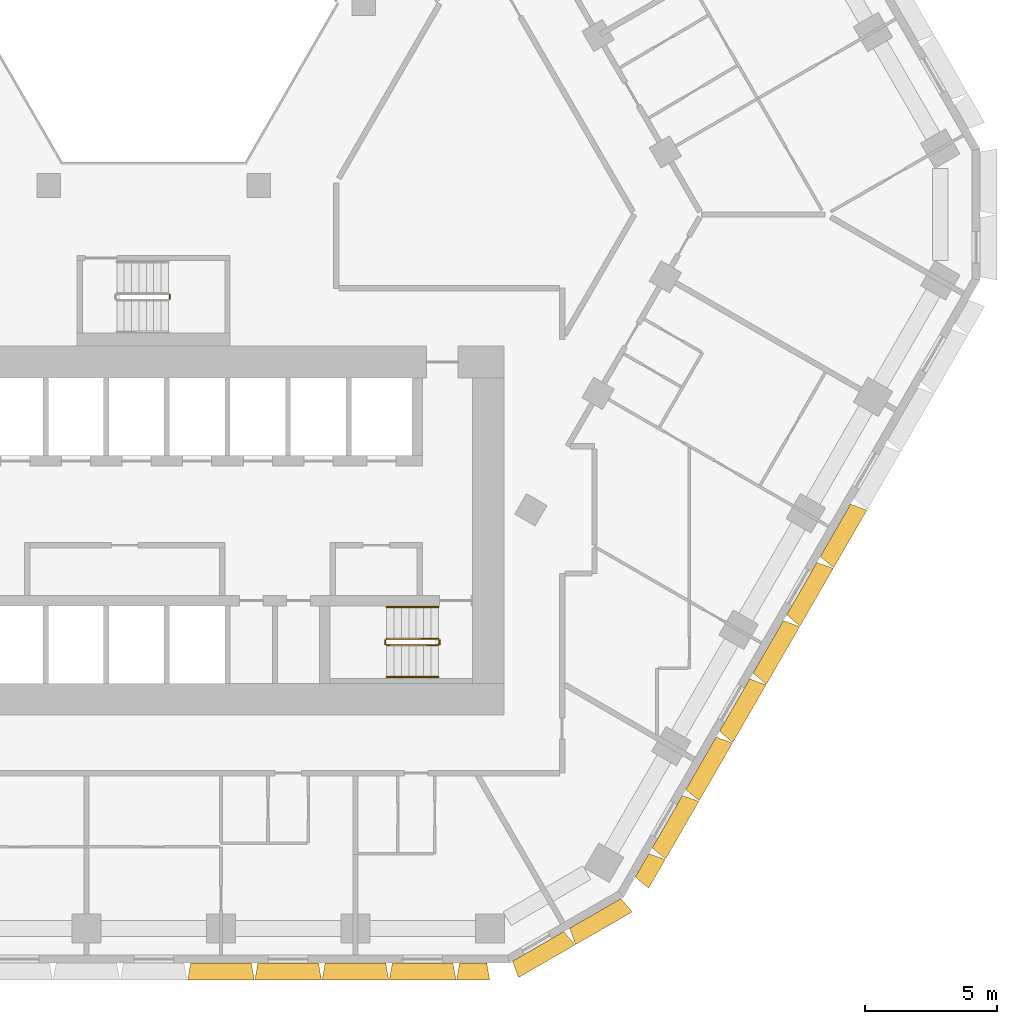
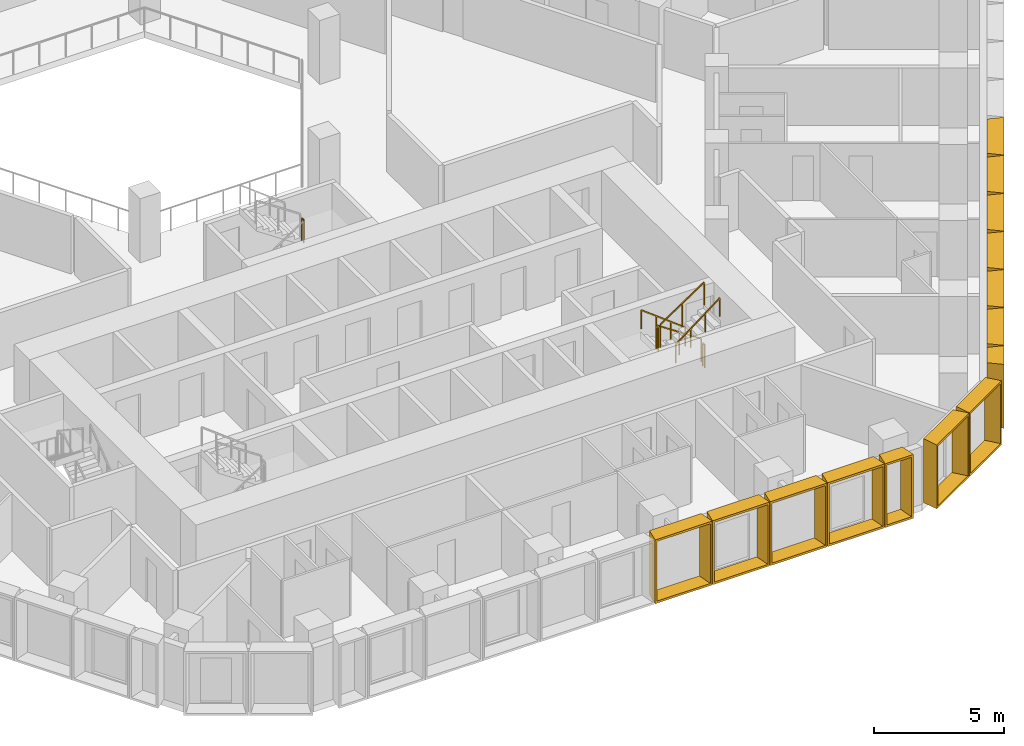
# One storey, part 15 of 16: 14 shading devices, 7 railings.
"""IFC4 building model written with IfcOpenShell, lengths in metres."""

from ifc_helpers import new_model, entity, si_unit, direction, frame, origin, origin_2d, place, context, subcontext, project, spatial, rectangle, extrude, source, transform, mapped, material, type_object, type_shapes, element, save


model = new_model("IFC4")

# Units and contexts
model_context = context("Model", 3, precision=1e-05, world=origin(), true_north=direction((0.0, 1.0)))
body_context = subcontext(model_context, "Body", "Model", "MODEL_VIEW")
ifc_project = project(units=[si_unit("LENGTHUNIT", "METRE"), si_unit("AREAUNIT", "SQUARE_METRE"), si_unit("VOLUMEUNIT", "CUBIC_METRE"), si_unit("PLANEANGLEUNIT", "RADIAN"), si_unit("MASSUNIT", "GRAM", prefix="KILO")], contexts=[model_context])

# Site, building, storey
site_placement = place(None, origin())
site = spatial("IfcSite", under=ifc_project, at=site_placement, CompositionType="ELEMENT")
building_placement = place(site_placement, origin())
building = spatial("IfcBuilding", under=site, at=building_placement, Name="Beryl Residences", CompositionType="ELEMENT")
storey_placement = place(building_placement, frame((0.0, 0.0, 50.39990234375)))
storey = spatial("IfcBuildingStorey", under=building, at=storey_placement, Name="L15", CompositionType="ELEMENT", Elevation=50.39990234375)

# Shading devices
ifc_material_1 = material(Name="Aluminium pale anodised", Category="aluminium")
shading_device_type_1 = type_object("IfcShadingDeviceType", Name="FR128-65A OUTER SKIN frame 650 mm deep, splay 10/10 deg, 1280 x 3000 mm cell", PredefinedType="USERDEFINED", material=ifc_material_1)
cartesian_point_1 = entity("IfcCartesianPoint", [-0.514892578125, 0.0])
cartesian_point_2 = entity("IfcCartesianPoint", [-0.433837890625, 0.10009765625])
cartesian_point_3 = entity("IfcCartesianPoint", [-0.629638671875, 0.0])
cartesian_point_4 = entity("IfcCartesianPoint", [-0.54833984375, 0.10009765625])
shared_shape_1 = source(origin(), body_context, "Body", "SweptSolid", [
    entity("IfcExtrudedAreaSolidTapered", entity("IfcArbitraryProfileDefWithVoids", "AREA", None, entity("IfcPolyline", [cartesian_point_1, entity("IfcCartesianPoint", [0.514892578125, 0.0]), entity("IfcCartesianPoint", [0.514892578125, 3.0]), entity("IfcCartesianPoint", [-0.514892578125, 3.0]), cartesian_point_1]), [entity("IfcPolyline", [cartesian_point_2, entity("IfcCartesianPoint", [0.433837890625, 0.10009765625]), entity("IfcCartesianPoint", [0.433837890625, 2.89990234375]), entity("IfcCartesianPoint", [-0.433837890625, 2.89990234375]), cartesian_point_2])]), entity("IfcAxis2Placement3D", entity("IfcCartesianPoint", [0.0, 0.0, 0.0]), entity("IfcDirection", [0.0, 1.0, 0.0]), entity("IfcDirection", [-1.0, 0.0, 0.0])), entity("IfcDirection", [0.0, 0.0, 1.0]), 0.64990234375, entity("IfcArbitraryProfileDefWithVoids", "AREA", None, entity("IfcPolyline", [cartesian_point_3, entity("IfcCartesianPoint", [0.629638671875, 0.0]), entity("IfcCartesianPoint", [0.629638671875, 3.0]), entity("IfcCartesianPoint", [-0.629638671875, 3.0]), cartesian_point_3]), [entity("IfcPolyline", [cartesian_point_4, entity("IfcCartesianPoint", [0.54833984375, 0.10009765625]), entity("IfcCartesianPoint", [0.54833984375, 2.89990234375]), entity("IfcCartesianPoint", [-0.54833984375, 2.89990234375]), cartesian_point_4])])),
])
type_shapes(shading_device_type_1, [shared_shape_1])
for number, where, z_axis, x_axis, name in (
    (1, (12.123046875, -28.39990234375, 0.0), (0.0, 0.0, 1.0), (-1.0, 0.0, 0.0), "FR128-65A frame L15 S 11"),
    (2, (18.534912109375, -24.697021484375, 0.0), (0.0, 0.0, 1.0), (-0.5, -0.866025403784, 0.0), "FR128-65A frame L15 SE 1"),
):
    element("IfcShadingDevice", number, at=place(storey_placement, frame(where, z_axis=z_axis, x_axis=x_axis)), inside=storey, type_object=shading_device_type_1, Name=name, ObjectType="OUTER SKIN", PredefinedType="USERDEFINED", context=body_context, shape_type="MappedRepresentation", body=[
        mapped(shared_shape_1, transform((0.0, 0.0, 0.0))),
    ])
ifc_material_2 = material(Name="Aluminium pale anodised", Category="aluminium")
shading_device_type_2 = type_object("IfcShadingDeviceType", Name="FR250-65A OUTER SKIN frame 650 mm deep, splay 10/10 deg, 2500 x 3000 mm cell", PredefinedType="USERDEFINED", material=ifc_material_2)
cartesian_point_5 = entity("IfcCartesianPoint", [-1.125, 0.0])
cartesian_point_6 = entity("IfcCartesianPoint", [-1.043701171875, 0.10009765625])
cartesian_point_7 = entity("IfcCartesianPoint", [-1.239501953125, 0.0])
cartesian_point_8 = entity("IfcCartesianPoint", [-1.158447265625, 0.10009765625])
shared_shape_2 = source(origin(), body_context, "Body", "SweptSolid", [
    entity("IfcExtrudedAreaSolidTapered", entity("IfcArbitraryProfileDefWithVoids", "AREA", None, entity("IfcPolyline", [cartesian_point_5, entity("IfcCartesianPoint", [1.125, 0.0]), entity("IfcCartesianPoint", [1.125, 3.0]), entity("IfcCartesianPoint", [-1.125, 3.0]), cartesian_point_5]), [entity("IfcPolyline", [cartesian_point_6, entity("IfcCartesianPoint", [1.043701171875, 0.10009765625]), entity("IfcCartesianPoint", [1.043701171875, 2.89990234375]), entity("IfcCartesianPoint", [-1.043701171875, 2.89990234375]), cartesian_point_6])]), entity("IfcAxis2Placement3D", entity("IfcCartesianPoint", [0.0, 0.0, 0.0]), entity("IfcDirection", [0.0, 1.0, 0.0]), entity("IfcDirection", [-1.0, 0.0, 0.0])), entity("IfcDirection", [0.0, 0.0, 1.0]), 0.64990234375, entity("IfcArbitraryProfileDefWithVoids", "AREA", None, entity("IfcPolyline", [cartesian_point_7, entity("IfcCartesianPoint", [1.239501953125, 0.0]), entity("IfcCartesianPoint", [1.239501953125, 3.0]), entity("IfcCartesianPoint", [-1.239501953125, 3.0]), cartesian_point_7]), [entity("IfcPolyline", [cartesian_point_8, entity("IfcCartesianPoint", [1.158447265625, 0.10009765625]), entity("IfcCartesianPoint", [1.158447265625, 2.89990234375]), entity("IfcCartesianPoint", [-1.158447265625, 2.89990234375]), cartesian_point_8])])),
])
type_shapes(shading_device_type_2, [shared_shape_2])
for number, where, z_axis, x_axis, name in (
    (3, (14.593017578125, -27.77490234375, 0.0), (0.0, 0.0, 1.0), (-0.866025403784, -0.5, 0.0), "FR250-65A frame L15 S-SE 1"),
    (4, (16.758056640625, -26.52490234375, 0.0), (0.0, 0.0, 1.0), (-0.866025403784, -0.5, 0.0), "FR250-65A frame L15 S-SE 2"),
):
    element("IfcShadingDevice", number, at=place(storey_placement, frame(where, z_axis=z_axis, x_axis=x_axis)), inside=storey, type_object=shading_device_type_2, Name=name, ObjectType="OUTER SKIN", PredefinedType="USERDEFINED", context=body_context, shape_type="MappedRepresentation", body=[
        mapped(shared_shape_2, transform((0.0, 0.0, 0.0))),
    ])
ifc_material_3 = material(Name="Aluminium pale anodised", Category="aluminium")
shading_device_type_3 = type_object("IfcShadingDeviceType", Name="FR255-65A OUTER SKIN frame 650 mm deep, splay 10/10 deg, 2550 x 3000 mm cell", PredefinedType="USERDEFINED", material=ifc_material_3)
cartesian_point_9 = entity("IfcCartesianPoint", [-1.14990234375, 0.0])
cartesian_point_10 = entity("IfcCartesianPoint", [-1.06884765625, 0.10009765625])
cartesian_point_11 = entity("IfcCartesianPoint", [-1.2646484375, 0.0])
cartesian_point_12 = entity("IfcCartesianPoint", [-1.183349609375, 0.10009765625])
shared_shape_3 = source(origin(), body_context, "Body", "SweptSolid", [
    entity("IfcExtrudedAreaSolidTapered", entity("IfcArbitraryProfileDefWithVoids", "AREA", None, entity("IfcPolyline", [cartesian_point_9, entity("IfcCartesianPoint", [1.14990234375, 0.0]), entity("IfcCartesianPoint", [1.14990234375, 3.0]), entity("IfcCartesianPoint", [-1.14990234375, 3.0]), cartesian_point_9]), [entity("IfcPolyline", [cartesian_point_10, entity("IfcCartesianPoint", [1.06884765625, 0.10009765625]), entity("IfcCartesianPoint", [1.06884765625, 2.89990234375]), entity("IfcCartesianPoint", [-1.06884765625, 2.89990234375]), cartesian_point_10])]), entity("IfcAxis2Placement3D", entity("IfcCartesianPoint", [0.0, 0.0, 0.0]), entity("IfcDirection", [0.0, 1.0, 0.0]), entity("IfcDirection", [-1.0, 0.0, 0.0])), entity("IfcDirection", [0.0, 0.0, 1.0]), 0.64990234375, entity("IfcArbitraryProfileDefWithVoids", "AREA", None, entity("IfcPolyline", [cartesian_point_11, entity("IfcCartesianPoint", [1.2646484375, 0.0]), entity("IfcCartesianPoint", [1.2646484375, 3.0]), entity("IfcCartesianPoint", [-1.2646484375, 3.0]), cartesian_point_11]), [entity("IfcPolyline", [cartesian_point_12, entity("IfcCartesianPoint", [1.183349609375, 0.10009765625]), entity("IfcCartesianPoint", [1.183349609375, 2.89990234375]), entity("IfcCartesianPoint", [-1.183349609375, 2.89990234375]), cartesian_point_12])])),
])
type_shapes(shading_device_type_3, [shared_shape_3])
for number, where, z_axis, x_axis, name in (
    (5, (2.552978515625, -28.39990234375, 0.0), (0.0, 0.0, 1.0), (-1.0, 0.0, 0.0), "FR255-65A frame L15 S 7"),
    (6, (5.10498046875, -28.39990234375, 0.0), (0.0, 0.0, 1.0), (-1.0, 0.0, 0.0), "FR255-65A frame L15 S 8"),
    (7, (7.656982421875, -28.39990234375, 0.0), (0.0, 0.0, 1.0), (-1.0, 0.0, 0.0), "FR255-65A frame L15 S 9"),
    (8, (10.208984375, -28.39990234375, 0.0), (0.0, 0.0, 1.0), (-1.0, 0.0, 0.0), "FR255-65A frame L15 S 10"),
    (9, (19.491943359375, -23.0400390625, 0.0), (0.0, 0.0, 1.0), (-0.5, -0.866025403784, 0.0), "FR255-65A frame L15 SE 2"),
    (10, (20.76806640625, -20.830078125, 0.0), (0.0, 0.0, 1.0), (-0.5, -0.866025403784, 0.0), "FR255-65A frame L15 SE 3"),
    (11, (22.0439453125, -18.618896484375, 0.0), (0.0, 0.0, 1.0), (-0.5, -0.866025403784, 0.0), "FR255-65A frame L15 SE 4"),
    (12, (23.320068359375, -16.408935546875, 0.0), (0.0, 0.0, 1.0), (-0.5, -0.866025403784, 0.0), "FR255-65A frame L15 SE 5"),
    (13, (24.594970703125, -14.198974609375, 0.0), (0.0, 0.0, 1.0), (-0.5, -0.866025403784, 0.0), "FR255-65A frame L15 SE 6"),
    (14, (25.87109375, -11.989013671875, 0.0), (0.0, 0.0, 1.0), (-0.5, -0.866025403784, 0.0), "FR255-65A frame L15 SE 7"),
):
    element("IfcShadingDevice", number, at=place(storey_placement, frame(where, z_axis=z_axis, x_axis=x_axis)), inside=storey, type_object=shading_device_type_3, Name=name, ObjectType="OUTER SKIN", PredefinedType="USERDEFINED", context=body_context, shape_type="MappedRepresentation", body=[
        mapped(shared_shape_3, transform((0.0, 0.0, 0.0))),
    ])

# Railings
ifc_material_4 = material(Name="Stainless steel balustrade with glass infill", Category="steel")
railing_type_1 = type_object("IfcRailingType", Name="SG1 stair guard 1100 mm", PredefinedType="GUARDRAIL", material=ifc_material_4)
railing_1_placement = place(storey_placement, frame((10.800048828125, -16.10009765625, 0.1875)))
element("IfcRailing", 15, at=railing_1_placement, inside=storey, type_object=railing_type_1, Name="L15 ST-3 stair guard 1", PredefinedType="GUARDRAIL", context=body_context, shape_type="SweptSolid", body=[
    extrude(rectangle(XDim=0.048095703125, YDim=0.048095703125, at=origin_2d()), frame((0.0, 0.0, 1.076171875), z_axis=(-0.830902050051, 0.0, 0.556418712142), x_axis=(0.0, -1.0, 0.0)), (0.0, 0.0, 1.0), 2.35888671875),
    extrude(rectangle(XDim=0.0419921875, YDim=0.0419921875, at=origin_2d()), origin(), (0.0, 0.0, 1.0), 1.052001953125),
    extrude(rectangle(XDim=0.0419921875, YDim=0.0419921875, at=origin_2d()), frame((-0.97998046875, 0.0, 0.65625)), (0.0, 0.0, 1.0), 1.052001953125),
    extrude(rectangle(XDim=0.0419921875, YDim=0.0419921875, at=origin_2d()), frame((-1.9599609375, 0.0, 1.3125)), (0.0, 0.0, 1.0), 1.052001953125),
])
railing_2_placement = place(storey_placement, frame((8.7900390625, -16.14990234375, 1.5)))
element("IfcRailing", 16, at=railing_2_placement, inside=storey, type_object=railing_type_1, Name="L15 ST-3 stair guard 2", PredefinedType="GUARDRAIL", context=body_context, shape_type="SweptSolid", body=[
    extrude(rectangle(XDim=0.048095703125, YDim=0.048095703125, at=origin_2d()), frame((0.0, 0.0, 1.076171875), z_axis=(0.0, -1.0, 0.0), x_axis=(1.0, 0.0, 0.0)), (0.0, 0.0, 1.0), 0.150146484375),
    extrude(rectangle(XDim=0.0419921875, YDim=0.0419921875, at=origin_2d()), origin(), (0.0, 0.0, 1.0), 1.052001953125),
    extrude(rectangle(XDim=0.0419921875, YDim=0.0419921875, at=origin_2d()), frame((0.0, -0.150146484375, 0.0)), (0.0, 0.0, 1.0), 1.052001953125),
])
railing_3_placement = place(storey_placement, frame((8.840087890625, -16.35009765625, 1.6875)))
element("IfcRailing", 17, at=railing_3_placement, inside=storey, type_object=railing_type_1, Name="L15 ST-3 stair guard 3", PredefinedType="GUARDRAIL", context=body_context, shape_type="SweptSolid", body=[
    extrude(rectangle(XDim=0.048095703125, YDim=0.048095703125, at=origin_2d()), frame((0.0, 0.0, 1.076171875), z_axis=(0.830902050051, 0.0, 0.556418712142), x_axis=(0.0, 1.0, 0.0)), (0.0, 0.0, 1.0), 2.35888671875),
    extrude(rectangle(XDim=0.0419921875, YDim=0.0419921875, at=origin_2d()), origin(), (0.0, 0.0, 1.0), 1.052001953125),
    extrude(rectangle(XDim=0.0419921875, YDim=0.0419921875, at=origin_2d()), frame((0.97998046875, 0.0, 0.65625)), (0.0, 0.0, 1.0), 1.052001953125),
    extrude(rectangle(XDim=0.0419921875, YDim=0.0419921875, at=origin_2d()), frame((1.9599609375, 0.0, 1.3125)), (0.0, 0.0, 1.0), 1.052001953125),
])
railing_4_placement = place(storey_placement, frame((10.85009765625, -16.14990234375, 0.0)))
element("IfcRailing", 18, at=railing_4_placement, inside=storey, type_object=railing_type_1, Name="L15 ST-3 stair guard 4", PredefinedType="GUARDRAIL", context=body_context, shape_type="SweptSolid", body=[
    extrude(rectangle(XDim=0.048095703125, YDim=0.048095703125, at=origin_2d()), frame((0.0, 0.0, 1.076171875), z_axis=(0.0, -1.0, 0.0), x_axis=(1.0, 0.0, 0.0)), (0.0, 0.0, 1.0), 0.150146484375),
    extrude(rectangle(XDim=0.0419921875, YDim=0.0419921875, at=origin_2d()), origin(), (0.0, 0.0, 1.0), 1.052001953125),
    extrude(rectangle(XDim=0.0419921875, YDim=0.0419921875, at=origin_2d()), frame((0.0, -0.150146484375, 0.0)), (0.0, 0.0, 1.0), 1.052001953125),
])
railing_5_placement = place(storey_placement, frame((0.610107421875, -3.199951171875, 1.5)))
element("IfcRailing", 19, at=railing_5_placement, inside=storey, type_object=railing_type_1, Name="L15 ST-4 stair guard 2", PredefinedType="GUARDRAIL", context=body_context, shape_type="SweptSolid", body=[
    extrude(rectangle(XDim=0.048095703125, YDim=0.048095703125, at=origin_2d()), frame((0.0, 0.0, 1.076171875), z_axis=(0.0, 1.0, 0.0), x_axis=(-1.0, 0.0, 0.0)), (0.0, 0.0, 1.0), 0.14990234375),
    extrude(rectangle(XDim=0.0419921875, YDim=0.0419921875, at=origin_2d()), origin(), (0.0, 0.0, 1.0), 1.052001953125),
    extrude(rectangle(XDim=0.0419921875, YDim=0.0419921875, at=origin_2d()), frame((0.0, 0.14990234375, 0.0)), (0.0, 0.0, 1.0), 1.052001953125),
])
ifc_material_5 = material(Name="Stainless steel handrail", Category="steel")
railing_type_2 = type_object("IfcRailingType", Name="SRL1 stair handrail 900 mm", PredefinedType="HANDRAIL", material=ifc_material_5)
railing_6_placement = place(storey_placement, frame((10.800048828125, -14.89990234375, 0.1875)))
element("IfcRailing", 20, at=railing_6_placement, inside=storey, type_object=railing_type_2, Name="L15 ST-3 stair handrail 1", PredefinedType="HANDRAIL", context=body_context, shape_type="SweptSolid", body=[
    extrude(rectangle(XDim=0.048095703125, YDim=0.048095703125, at=origin_2d()), frame((0.0, 0.0, 0.8759765625), z_axis=(-0.794121922505, 0.0, 0.607758481798), x_axis=(0.0, -1.0, 0.0)), (0.0, 0.0, 1.0), 2.468017578125),
    extrude(rectangle(XDim=0.0419921875, YDim=0.0419921875, at=origin_2d()), origin(), (0.0, 0.0, 1.0), 0.851806640625),
    extrude(rectangle(XDim=0.0419921875, YDim=0.0419921875, at=origin_2d()), frame((-0.6533203125, 0.0, 0.5)), (0.0, 0.0, 1.0), 0.851806640625),
    extrude(rectangle(XDim=0.0419921875, YDim=0.0419921875, at=origin_2d()), frame((-1.306640625, 0.0, 1.0)), (0.0, 0.0, 1.0), 0.851806640625),
    extrude(rectangle(XDim=0.0419921875, YDim=0.0419921875, at=origin_2d()), frame((-1.9599609375, 0.0, 1.5)), (0.0, 0.0, 1.0), 0.851806640625),
])
railing_7_placement = place(storey_placement, frame((8.840087890625, -17.550048828125, 1.6875)))
element("IfcRailing", 21, at=railing_7_placement, inside=storey, type_object=railing_type_2, Name="L15 ST-3 stair handrail 2", PredefinedType="HANDRAIL", context=body_context, shape_type="SweptSolid", body=[
    extrude(rectangle(XDim=0.048095703125, YDim=0.048095703125, at=origin_2d()), frame((0.0, 0.0, 0.8759765625), z_axis=(0.794121922505, 0.0, 0.607758481798), x_axis=(0.0, 1.0, 0.0)), (0.0, 0.0, 1.0), 2.468017578125),
    extrude(rectangle(XDim=0.0419921875, YDim=0.0419921875, at=origin_2d()), origin(), (0.0, 0.0, 1.0), 0.851806640625),
    extrude(rectangle(XDim=0.0419921875, YDim=0.0419921875, at=origin_2d()), frame((0.6533203125, 0.0, 0.5)), (0.0, 0.0, 1.0), 0.851806640625),
    extrude(rectangle(XDim=0.0419921875, YDim=0.0419921875, at=origin_2d()), frame((1.306640625, 0.0, 1.0)), (0.0, 0.0, 1.0), 0.851806640625),
    extrude(rectangle(XDim=0.0419921875, YDim=0.0419921875, at=origin_2d()), frame((1.9599609375, 0.0, 1.5)), (0.0, 0.0, 1.0), 0.851806640625),
])

save(model, "model.ifc")
